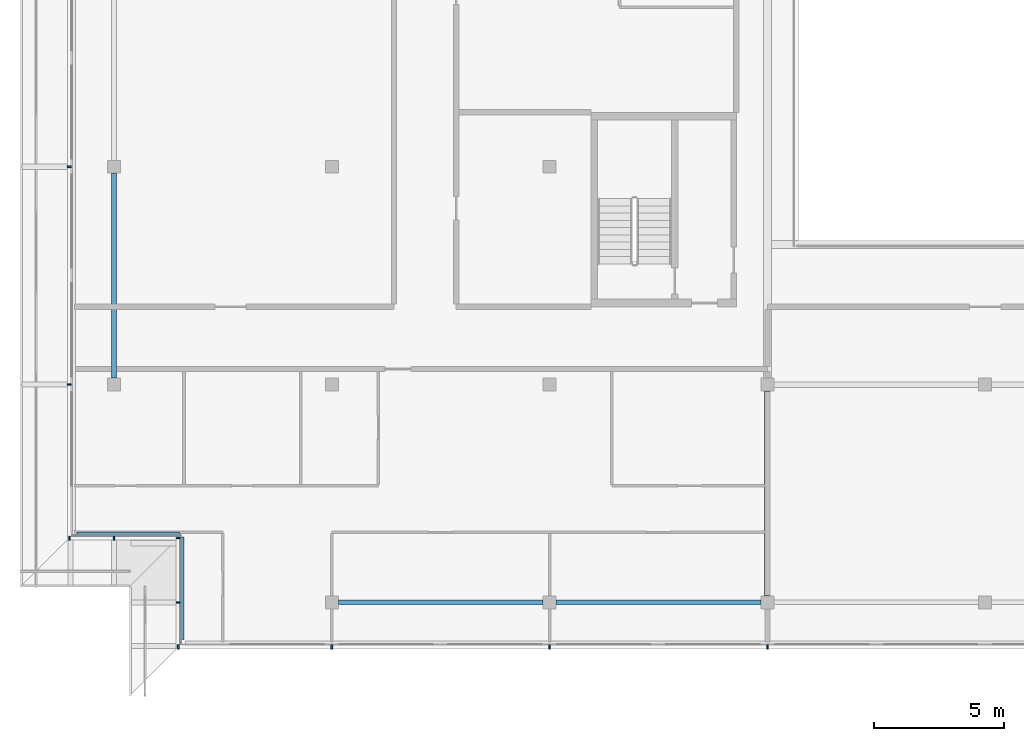
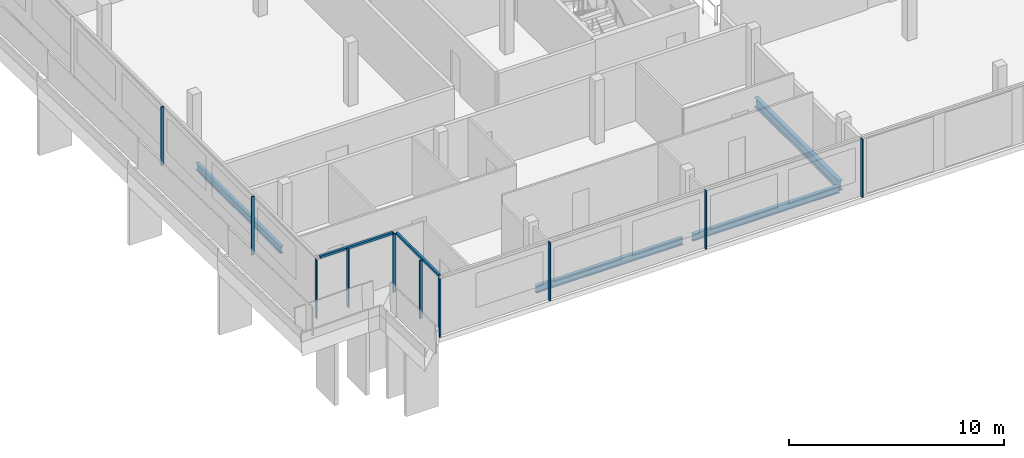
# One storey, part 2 of 27: 12 members, 4 beams, 4 elements without a shape of their own.
"""IFC4 building model written with IfcOpenShell, lengths in metres."""

from ifc_helpers import new_model, si_unit, direction, frame, origin, origin_2d, place, context, subcontext, project, spatial, rectangle, i_section, extrude, material, material_profile, profile_set, type_object, element, aggregate, save


model = new_model("IFC4")

# Units and contexts
model_context = context("Model", 3, precision=1e-05, world=origin(), true_north=direction((0.0, 1.0)))
body_context = subcontext(model_context, "Body", "Model", "MODEL_VIEW")
ifc_project = project(units=[si_unit("LENGTHUNIT", "METRE"), si_unit("AREAUNIT", "SQUARE_METRE"), si_unit("VOLUMEUNIT", "CUBIC_METRE"), si_unit("PLANEANGLEUNIT", "RADIAN"), si_unit("MASSUNIT", "GRAM", prefix="KILO")], contexts=[model_context])

# Site, building, storey
site_placement = place(None, origin())
site = spatial("IfcSite", under=ifc_project, at=site_placement, CompositionType="ELEMENT")
building_placement = place(site_placement, origin())
building = spatial("IfcBuilding", under=site, at=building_placement, Name="Saffron Gate Tower", CompositionType="ELEMENT")
storey_placement = place(building_placement, frame((0.0, 0.0, 267.14990234375)))
storey = spatial("IfcBuildingStorey", under=building, at=storey_placement, Name="L64", CompositionType="ELEMENT", Elevation=267.14990234375)

# Beams
ifc_material_1 = material(Name="Structural steel S355", Category="steel")
ifc_material_profile_1 = material_profile(ifc_material_1, i_section(OverallWidth=0.2099609375, OverallDepth=0.550048828125, WebThickness=0.010986328125, FlangeThickness=0.01708984375, FilletRadius=0.02392578125, at=origin_2d()))
ifc_profile_set_1 = profile_set([ifc_material_profile_1], Name="Structural steel S355")
beam_type_1 = type_object("IfcBeamType", Name="B12 IPE 550", PredefinedType="BEAM", material=ifc_profile_set_1)
beam_1_placement = place(storey_placement, frame((75.0, 32.050048828125, -0.554931640625), z_axis=(0.0, 1.0, 0.0), x_axis=(-1.0, 0.0, 0.0)))
element("IfcBeam", 1, at=beam_1_placement, inside=storey, type_object=beam_type_1, Name="B12 FLOOR GIRDER", PredefinedType="BEAM", context=body_context, shape_type="SweptSolid", body=[
    extrude(i_section(OverallWidth=0.2099609375, OverallDepth=0.550048828125, WebThickness=0.010986328125, FlangeThickness=0.01708984375, FilletRadius=0.02392578125, at=origin_2d()), origin(), (0.0, 0.0, 1.0), 7.89990234375),
])
ifc_material_profile_2 = material_profile(ifc_material_1, i_section(OverallWidth=0.179931640625, OverallDepth=0.39990234375, WebThickness=0.008544921875, FlangeThickness=0.013427734375, FilletRadius=0.02099609375, at=origin_2d()))
ifc_profile_set_2 = profile_set([ifc_material_profile_2], Name="Structural steel S355")
beam_type_2 = type_object("IfcBeamType", Name="B5 IPE 400", PredefinedType="SPANDREL", material=ifc_profile_set_2)
for number, where, z_axis, x_axis, name in (
    (2, (49.800048828125, 40.449951171875, -0.47998046875), (0.0, 1.0, 0.0), (-1.0, 0.0, 0.0), "B5 SPANDREL BEAM"),
    (3, (58.449951171875, 31.800048828125, -0.47998046875), (1.0, 0.0, 0.0), (0.0, 1.0, 0.0), "B5 SPANDREL BEAM"),
):
    element("IfcBeam", number, at=place(storey_placement, frame(where, z_axis=z_axis, x_axis=x_axis)), inside=storey, type_object=beam_type_2, Name=name, PredefinedType="SPANDREL", context=body_context, shape_type="SweptSolid", body=[
        extrude(i_section(OverallWidth=0.179931640625, OverallDepth=0.39990234375, WebThickness=0.008544921875, FlangeThickness=0.013427734375, FilletRadius=0.02099609375, at=origin_2d()), origin(), (0.0, 0.0, 1.0), 7.900146484375),
    ])
beam_2_placement = place(storey_placement, frame((66.85009765625, 31.800048828125, -0.47998046875), z_axis=(1.0, 0.0, 0.0), x_axis=(0.0, 1.0, 0.0)))
element("IfcBeam", 4, at=beam_2_placement, inside=storey, type_object=beam_type_2, Name="B5 SPANDREL BEAM", PredefinedType="SPANDREL", context=body_context, shape_type="SweptSolid", body=[
    extrude(i_section(OverallWidth=0.179931640625, OverallDepth=0.39990234375, WebThickness=0.008544921875, FlangeThickness=0.013427734375, FilletRadius=0.02099609375, at=origin_2d()), origin(), (0.0, 0.0, 1.0), 7.89990234375),
])

# Curtain wall, members
ifc_material_2 = material(Name="Aluminium, bronze anodised", Category="aluminium")
curtain_wall_type_1 = type_object("IfcCurtainWallType", Name="CWS1 curtain wall front facade", PredefinedType="NOTDEFINED", material=ifc_material_2)
curtain_wall_1_placement = place(storey_placement, origin())
curtain_wall_1 = element("IfcCurtainWall", 5, at=curtain_wall_1_placement, inside=storey, type_object=curtain_wall_type_1, Name="CWS1 run 1", PredefinedType="NOTDEFINED")
ifc_material_profile_3 = material_profile(ifc_material_2, rectangle(XDim=0.159912109375, YDim=0.06005859375, at=origin_2d()))
ifc_profile_set_3 = profile_set([ifc_material_profile_3], Name="Aluminium, bronze anodised")
member_type_1 = type_object("IfcMemberType", Name="CWS1 mullion 60x160", PredefinedType="MULLION", material=ifc_profile_set_3)
member_1_placement = place(storey_placement, frame((52.280029296875, 30.080078125, 0.0), z_axis=(0.0, 0.0, 1.0), x_axis=(0.0, 1.0, 0.0)))
member_1 = element("IfcMember", 6, at=member_1_placement, type_object=member_type_1, Name="CWS1 mullion 1", PredefinedType="MULLION", context=body_context, shape_type="SweptSolid", body=[
    extrude(rectangle(XDim=0.159912109375, YDim=0.06005859375, at=origin_2d()), origin(), (0.0, 0.0, 1.0), 3.320068359375),
])
member_2_placement = place(storey_placement, frame((58.199951171875, 30.080078125, 0.0), z_axis=(0.0, 0.0, 1.0), x_axis=(0.0, 1.0, 0.0)))
member_2 = element("IfcMember", 7, at=member_2_placement, type_object=member_type_1, Name="CWS1 mullion 2", PredefinedType="MULLION", context=body_context, shape_type="SweptSolid", body=[
    extrude(rectangle(XDim=0.159912109375, YDim=0.06005859375, at=origin_2d()), origin(), (0.0, 0.0, 1.0), 3.320068359375),
])
member_3_placement = place(storey_placement, frame((66.60009765625, 30.080078125, 0.0), z_axis=(0.0, 0.0, 1.0), x_axis=(0.0, 1.0, 0.0)))
member_3 = element("IfcMember", 8, at=member_3_placement, type_object=member_type_1, Name="CWS1 mullion 3", PredefinedType="MULLION", context=body_context, shape_type="SweptSolid", body=[
    extrude(rectangle(XDim=0.159912109375, YDim=0.06005859375, at=origin_2d()), origin(), (0.0, 0.0, 1.0), 3.320068359375),
])
member_4_placement = place(storey_placement, frame((75.0, 30.080078125, 0.0), z_axis=(0.0, 0.0, 1.0), x_axis=(0.0, 1.0, 0.0)))
member_4 = element("IfcMember", 9, at=member_4_placement, type_object=member_type_1, Name="CWS1 mullion 4", PredefinedType="MULLION", context=body_context, shape_type="SweptSolid", body=[
    extrude(rectangle(XDim=0.159912109375, YDim=0.06005859375, at=origin_2d()), origin(), (0.0, 0.0, 1.0), 3.320068359375),
])
aggregate(curtain_wall_1, [member_1, member_2, member_3, member_4])

curtain_wall_type_2 = type_object("IfcCurtainWallType", Name="CWS2 curtain wall side facades", PredefinedType="NOTDEFINED", material=ifc_material_2)
curtain_wall_2_placement = place(storey_placement, origin())
curtain_wall_2 = element("IfcCurtainWall", 10, at=curtain_wall_2_placement, inside=storey, type_object=curtain_wall_type_2, Name="CWS2 run 10", PredefinedType="NOTDEFINED")
ifc_material_profile_4 = material_profile(ifc_material_2, rectangle(XDim=0.159912109375, YDim=0.06005859375, at=origin_2d()))
ifc_profile_set_4 = profile_set([ifc_material_profile_4], Name="Aluminium, bronze anodised")
member_type_2 = type_object("IfcMemberType", Name="CWS2 mullion 60x160", PredefinedType="MULLION", material=ifc_profile_set_4)
member_5_placement = place(storey_placement, frame((48.080078125, 48.60009765625, 0.0), z_axis=(0.0, 0.0, 1.0), x_axis=(1.0, 0.0, 0.0)))
member_5 = element("IfcMember", 11, at=member_5_placement, type_object=member_type_2, Name="CWS2 mullion 4", PredefinedType="MULLION", context=body_context, shape_type="SweptSolid", body=[
    extrude(rectangle(XDim=0.159912109375, YDim=0.06005859375, at=origin_2d()), origin(), (0.0, 0.0, 1.0), 3.320068359375),
])
member_6_placement = place(storey_placement, frame((48.080078125, 40.199951171875, 0.0), z_axis=(0.0, 0.0, 1.0), x_axis=(1.0, 0.0, 0.0)))
member_6 = element("IfcMember", 12, at=member_6_placement, type_object=member_type_2, Name="CWS2 mullion 5", PredefinedType="MULLION", context=body_context, shape_type="SweptSolid", body=[
    extrude(rectangle(XDim=0.159912109375, YDim=0.06005859375, at=origin_2d()), origin(), (0.0, 0.0, 1.0), 3.320068359375),
])
aggregate(curtain_wall_2, [member_5, member_6])

# Curtain wall, member
curtain_wall_type_3 = type_object("IfcCurtainWallType", Name="CWS4 curtain wall corner returns", PredefinedType="NOTDEFINED", material=ifc_material_2)
curtain_wall_3_placement = place(storey_placement, origin())
curtain_wall_3 = element("IfcCurtainWall", 13, at=curtain_wall_3_placement, inside=storey, type_object=curtain_wall_type_3, Name="CWS4 run 11", PredefinedType="NOTDEFINED")
ifc_material_profile_5 = material_profile(ifc_material_2, rectangle(XDim=0.1201171875, YDim=0.1201171875, at=origin_2d()))
ifc_profile_set_5 = profile_set([ifc_material_profile_5], Name="Aluminium, bronze anodised")
member_type_3 = type_object("IfcMemberType", Name="CWS4 head transom", PredefinedType="USERDEFINED", material=ifc_profile_set_5)
member_7_placement = place(storey_placement, frame((48.367919921875, 34.447998046875, 3.260009765625), z_axis=(1.0, 0.0, 0.0), x_axis=(0.0, 1.0, 0.0)))
member_7 = element("IfcMember", 14, at=member_7_placement, type_object=member_type_3, Name="CWS4 head transom", ObjectType="TRANSOM", PredefinedType="USERDEFINED", context=body_context, shape_type="SweptSolid", body=[
    extrude(rectangle(XDim=0.1201171875, YDim=0.1201171875, at=origin_2d()), origin(), (0.0, 0.0, 1.0), 3.9599609375),
])

curtain_wall_4_placement = place(storey_placement, origin())
curtain_wall_4 = element("IfcCurtainWall", 15, at=curtain_wall_4_placement, inside=storey, type_object=curtain_wall_type_3, Name="CWS4 run 12", PredefinedType="NOTDEFINED")
member_8_placement = place(storey_placement, frame((52.447998046875, 34.327880859375, 3.260009765625), z_axis=(0.0, -1.0, 0.0), x_axis=(1.0, 0.0, 0.0)))
member_8 = element("IfcMember", 16, at=member_8_placement, type_object=member_type_3, Name="CWS4 head transom", ObjectType="TRANSOM", PredefinedType="USERDEFINED", context=body_context, shape_type="SweptSolid", body=[
    extrude(rectangle(XDim=0.1201171875, YDim=0.1201171875, at=origin_2d()), origin(), (0.0, 0.0, 1.0), 3.9599609375),
])

# Member
ifc_material_profile_6 = material_profile(ifc_material_2, rectangle(XDim=0.159912109375, YDim=0.06005859375, at=origin_2d()))
ifc_profile_set_6 = profile_set([ifc_material_profile_6], Name="Aluminium, bronze anodised")
member_type_4 = type_object("IfcMemberType", Name="CWS4 mullion 60x160", PredefinedType="MULLION", material=ifc_profile_set_6)
member_9_placement = place(storey_placement, frame((48.080078125, 34.280029296875, 0.0), z_axis=(0.0, 0.0, 1.0), x_axis=(0.0, 1.0, 0.0)))
member_9 = element("IfcMember", 17, at=member_9_placement, type_object=member_type_4, Name="CWS4 mullion 1", PredefinedType="MULLION", context=body_context, shape_type="SweptSolid", body=[
    extrude(rectangle(XDim=0.159912109375, YDim=0.06005859375, at=origin_2d()), origin(), (0.0, 0.0, 1.0), 3.320068359375),
])

member_10_placement = place(storey_placement, frame((49.800048828125, 34.280029296875, 0.0), z_axis=(0.0, 0.0, 1.0), x_axis=(0.0, 1.0, 0.0)))
member_10 = element("IfcMember", 18, at=member_10_placement, type_object=member_type_4, Name="CWS4 mullion 2", PredefinedType="MULLION", context=body_context, shape_type="SweptSolid", body=[
    extrude(rectangle(XDim=0.159912109375, YDim=0.06005859375, at=origin_2d()), origin(), (0.0, 0.0, 1.0), 3.320068359375),
])

aggregate(curtain_wall_3, [member_9, member_10, member_7])

member_11_placement = place(storey_placement, frame((52.280029296875, 34.280029296875, 0.0), z_axis=(0.0, 0.0, 1.0), x_axis=(1.0, 0.0, 0.0)))
member_11 = element("IfcMember", 19, at=member_11_placement, type_object=member_type_4, Name="CWS4 mullion 1", PredefinedType="MULLION", context=body_context, shape_type="SweptSolid", body=[
    extrude(rectangle(XDim=0.159912109375, YDim=0.06005859375, at=origin_2d()), origin(), (0.0, 0.0, 1.0), 3.320068359375),
])

member_12_placement = place(storey_placement, frame((52.280029296875, 31.800048828125, 0.0), z_axis=(0.0, 0.0, 1.0), x_axis=(1.0, 0.0, 0.0)))
member_12 = element("IfcMember", 20, at=member_12_placement, type_object=member_type_4, Name="CWS4 mullion 2", PredefinedType="MULLION", context=body_context, shape_type="SweptSolid", body=[
    extrude(rectangle(XDim=0.159912109375, YDim=0.06005859375, at=origin_2d()), origin(), (0.0, 0.0, 1.0), 3.320068359375),
])

aggregate(curtain_wall_4, [member_11, member_12, member_8])

save(model, "model.ifc")
